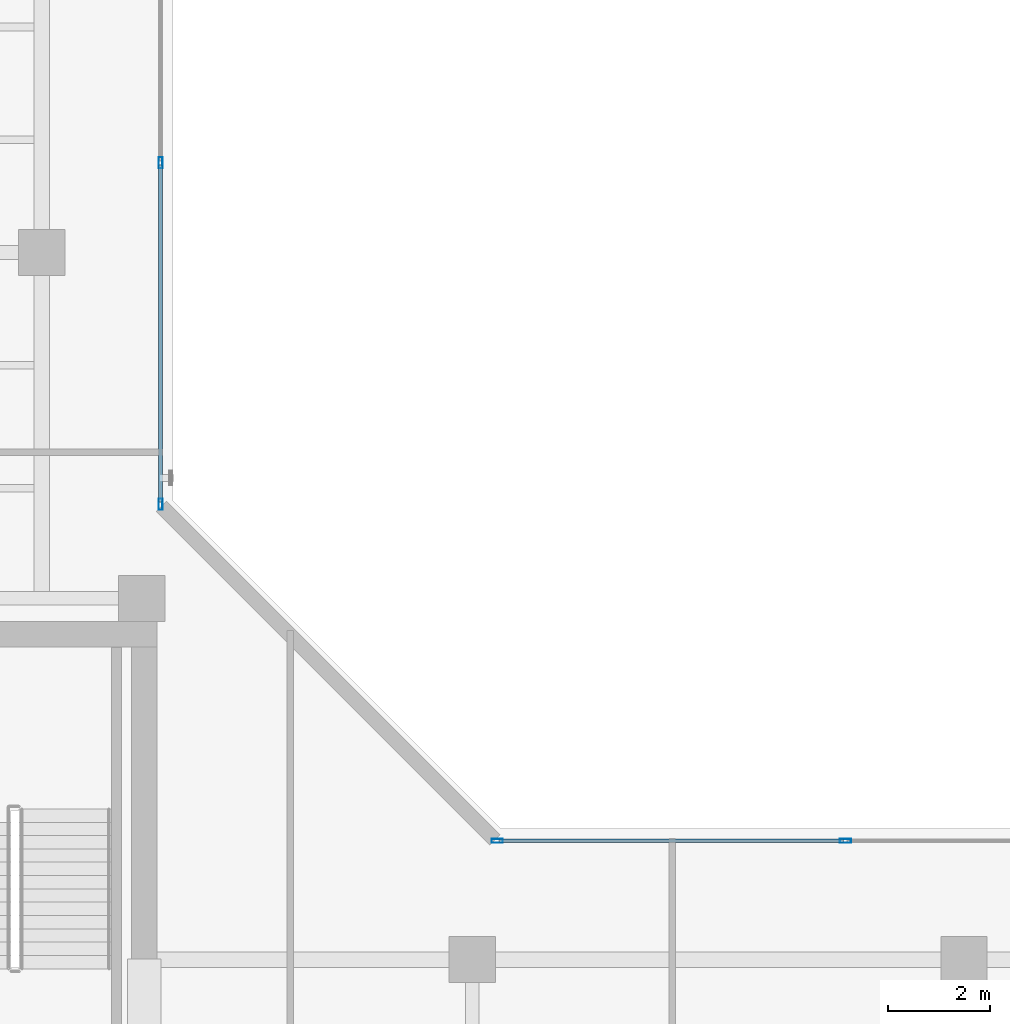
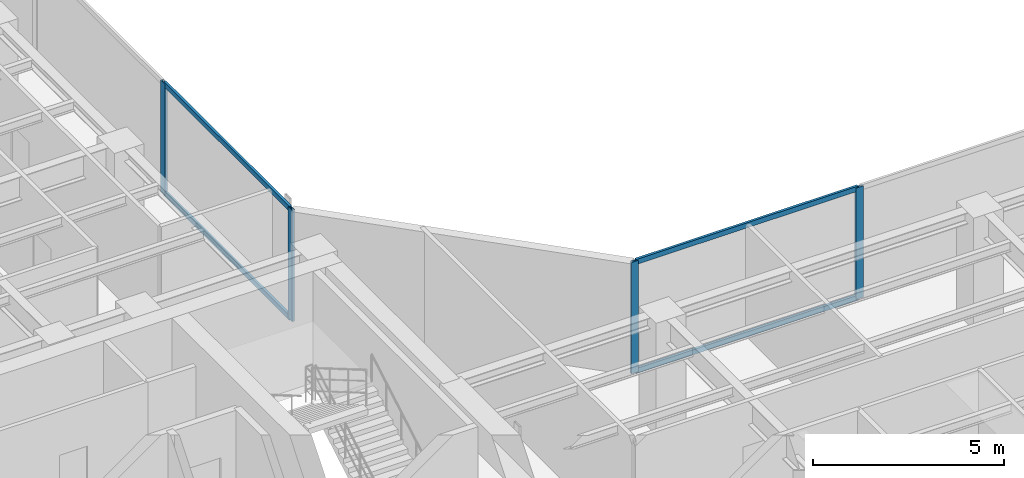
# One storey, part 10 of 22: 8 members, 2 elements without a shape of their own.
"""IFC4 building model written with IfcOpenShell, lengths in metres."""

from ifc_helpers import new_model, si_unit, direction, frame, origin, origin_with_axes, origin_2d, place, context, subcontext, project, spatial, hollow_rectangle, extrude, source, transform, mapped, material, layer, layer_set, material_profile, profile_set, type_object, element, aggregate, save


model = new_model("IFC4")

# Units and contexts
model_context = context("Model", 3, precision=1e-05, world=origin(), true_north=direction((0.0, 1.0)))
body_context = subcontext(model_context, "Body", "Model", "MODEL_VIEW")
ifc_project = project(units=[si_unit("LENGTHUNIT", "METRE"), si_unit("AREAUNIT", "SQUARE_METRE"), si_unit("VOLUMEUNIT", "CUBIC_METRE"), si_unit("PLANEANGLEUNIT", "RADIAN"), si_unit("MASSUNIT", "GRAM", prefix="KILO")], contexts=[model_context])

# Site, building, storey
site_placement = place(None, origin())
site = spatial("IfcSite", under=ifc_project, at=site_placement, CompositionType="ELEMENT")
building_placement = place(site_placement, origin())
building = spatial("IfcBuilding", under=site, at=building_placement, Name="Kolvaren Waterfront Exchange", CompositionType="ELEMENT")
storey_placement = place(building_placement, frame((0.0, 0.0, 278.0)))
storey = spatial("IfcBuildingStorey", under=building, at=storey_placement, Name="L71", CompositionType="ELEMENT", Elevation=278.0)

# Curtain wall, members
ifc_material_1 = material(Name="Anodised bronze aluminium 6063-T6", Category="aluminium")
ifc_layer = layer(ifc_material_1, 0.219970703125, Name="Anodised bronze aluminium 6063-T6")
ifc_layer_set = layer_set([ifc_layer], Name="Anodised bronze aluminium 6063-T6")
curtain_wall_type = type_object("IfcCurtainWallType", Name="ARC-CW-SYS1", PredefinedType="USERDEFINED", material=ifc_layer_set)
curtain_wall_1_placement = place(storey_placement, origin())
curtain_wall_1 = element("IfcCurtainWall", 1, at=curtain_wall_1_placement, inside=storey, type_object=curtain_wall_type, Name="L71 stick curtain wall CW1 (CW-L71-NE)", ObjectType="STICK CURTAIN WALL", PredefinedType="USERDEFINED")
ifc_material_2 = material(Name="Anodised aluminium 6063-T6", Category="aluminium")
ifc_material_profile_1 = material_profile(ifc_material_2, hollow_rectangle(XDim=0.080078125, YDim=0.219970703125, WallThickness=0.0048828125, at=origin_2d()), Name="ALU-MUL-220x80x5")
ifc_profile_set_1 = profile_set([ifc_material_profile_1], Name="Anodised aluminium 6063-T6")
member_type_1 = type_object("IfcMemberType", Name="ARC-CWM-220", PredefinedType="MULLION", material=ifc_profile_set_1)
shared_shape_1 = source(origin_with_axes(), body_context, "Body", "SweptSolid", [
    extrude(hollow_rectangle(XDim=0.080078125, YDim=0.219970703125, WallThickness=0.0048828125, at=origin_2d()), origin(), (0.0, 0.0, 1.0), 3.56005859375),
])
member_1_placement = place(storey_placement, frame((21.117919921875, 26.287841796875, 0.0), z_axis=(0.0, 0.0, 1.0), x_axis=(-1.0, 0.0, 0.0)))
member_1 = element("IfcMember", 2, at=member_1_placement, type_object=member_type_1, Name="CW1 mullion 1", PredefinedType="MULLION", context=body_context, shape_type="MappedRepresentation", body=[
    mapped(shared_shape_1, transform((0.0, 0.0, 0.0), x_axis=(1.0, 0.0, 0.0), y_axis=(0.0, 1.0, 0.0), z_axis=(0.0, 0.0, 1.0), scale=1.0)),
])
member_2_placement = place(storey_placement, frame((21.117919921875, 32.949462890625, 0.0), z_axis=(0.0, 0.0, 1.0), x_axis=(-1.0, 0.0, 0.0)))
member_2 = element("IfcMember", 3, at=member_2_placement, type_object=member_type_1, Name="CW1 mullion 2", PredefinedType="MULLION", context=body_context, shape_type="MappedRepresentation", body=[
    mapped(shared_shape_1, transform((0.0, 0.0, 0.0), x_axis=(1.0, 0.0, 0.0), y_axis=(0.0, 1.0, 0.0), z_axis=(0.0, 0.0, 1.0), scale=1.0)),
])

curtain_wall_2_placement = place(storey_placement, origin())
curtain_wall_2 = element("IfcCurtainWall", 4, at=curtain_wall_2_placement, inside=storey, type_object=curtain_wall_type, Name="L71 stick curtain wall CW1 (CW-L71-EN)", ObjectType="STICK CURTAIN WALL", PredefinedType="USERDEFINED")
member_3_placement = place(storey_placement, frame((27.68798828125, 19.718017578125, 0.0), z_axis=(0.0, 0.0, 1.0), x_axis=(0.0, 1.0, 0.0)))
member_3 = element("IfcMember", 5, at=member_3_placement, type_object=member_type_1, Name="CW1 mullion 1", PredefinedType="MULLION", context=body_context, shape_type="MappedRepresentation", body=[
    mapped(shared_shape_1, transform((0.0, 0.0, 0.0), x_axis=(1.0, 0.0, 0.0), y_axis=(0.0, 1.0, 0.0), z_axis=(0.0, 0.0, 1.0), scale=1.0)),
])
member_4_placement = place(storey_placement, frame((34.48291015625, 19.718017578125, 0.0), z_axis=(0.0, 0.0, 1.0), x_axis=(0.0, 1.0, 0.0)))
member_4 = element("IfcMember", 6, at=member_4_placement, type_object=member_type_1, Name="CW1 mullion 2", PredefinedType="MULLION", context=body_context, shape_type="MappedRepresentation", body=[
    mapped(shared_shape_1, transform((0.0, 0.0, 0.0), x_axis=(1.0, 0.0, 0.0), y_axis=(0.0, 1.0, 0.0), z_axis=(0.0, 0.0, 1.0), scale=1.0)),
])

# Member
ifc_material_profile_2 = material_profile(ifc_material_2, hollow_rectangle(XDim=0.074951171875, YDim=0.159912109375, WallThickness=0.00439453125, at=origin_2d()), Name="ALU-TRN-160x75x4.5")
ifc_profile_set_2 = profile_set([ifc_material_profile_2], Name="Anodised aluminium 6063-T6")
member_type_2 = type_object("IfcMemberType", Name="ARC-CWT-160", PredefinedType="USERDEFINED", material=ifc_profile_set_2)
shared_shape_2 = source(origin_with_axes(), body_context, "Body", "SweptSolid", [
    extrude(hollow_rectangle(XDim=0.074951171875, YDim=0.159912109375, WallThickness=0.00439453125, at=origin_2d()), origin(), (0.0, 0.0, 1.0), 6.58154296875),
])
member_5_placement = place(storey_placement, frame((21.117919921875, 26.327880859375, 0.03759765625), z_axis=(0.0, 1.0, 0.0), x_axis=(-1.0, 0.0, 0.0)))
member_5 = element("IfcMember", 7, at=member_5_placement, type_object=member_type_2, Name="CW1 transom 1.1", ObjectType="TRANSOM", PredefinedType="USERDEFINED", context=body_context, shape_type="MappedRepresentation", body=[
    mapped(shared_shape_2, transform((0.0, 0.0, 0.0), x_axis=(1.0, 0.0, 0.0), y_axis=(0.0, 1.0, 0.0), z_axis=(0.0, 0.0, 1.0), scale=1.0)),
])

member_6_placement = place(storey_placement, frame((21.117919921875, 26.327880859375, 3.5224609375), z_axis=(0.0, 1.0, 0.0), x_axis=(-1.0, 0.0, 0.0)))
member_6 = element("IfcMember", 8, at=member_6_placement, type_object=member_type_2, Name="CW1 transom 1.2", ObjectType="TRANSOM", PredefinedType="USERDEFINED", context=body_context, shape_type="MappedRepresentation", body=[
    mapped(shared_shape_2, transform((0.0, 0.0, 0.0), x_axis=(1.0, 0.0, 0.0), y_axis=(0.0, 1.0, 0.0), z_axis=(0.0, 0.0, 1.0), scale=1.0)),
])

aggregate(curtain_wall_1, [member_1, member_2, member_5, member_6])

shared_shape_3 = source(origin_with_axes(), body_context, "Body", "SweptSolid", [
    extrude(hollow_rectangle(XDim=0.074951171875, YDim=0.159912109375, WallThickness=0.00439453125, at=origin_2d()), origin(), (0.0, 0.0, 1.0), 6.715087890625),
])
member_7_placement = place(storey_placement, frame((27.727783203125, 19.718017578125, 0.03759765625), z_axis=(1.0, 0.0, 0.0), x_axis=(0.0, 1.0, 0.0)))
member_7 = element("IfcMember", 9, at=member_7_placement, type_object=member_type_2, Name="CW1 transom 1.1", ObjectType="TRANSOM", PredefinedType="USERDEFINED", context=body_context, shape_type="MappedRepresentation", body=[
    mapped(shared_shape_3, transform((0.0, 0.0, 0.0), x_axis=(1.0, 0.0, 0.0), y_axis=(0.0, 1.0, 0.0), z_axis=(0.0, 0.0, 1.0), scale=1.0)),
])

member_8_placement = place(storey_placement, frame((27.727783203125, 19.718017578125, 3.5224609375), z_axis=(1.0, 0.0, 0.0), x_axis=(0.0, 1.0, 0.0)))
member_8 = element("IfcMember", 10, at=member_8_placement, type_object=member_type_2, Name="CW1 transom 1.2", ObjectType="TRANSOM", PredefinedType="USERDEFINED", context=body_context, shape_type="MappedRepresentation", body=[
    mapped(shared_shape_3, transform((0.0, 0.0, 0.0), x_axis=(1.0, 0.0, 0.0), y_axis=(0.0, 1.0, 0.0), z_axis=(0.0, 0.0, 1.0), scale=1.0)),
])

aggregate(curtain_wall_2, [member_3, member_4, member_7, member_8])

save(model, "model.ifc")
